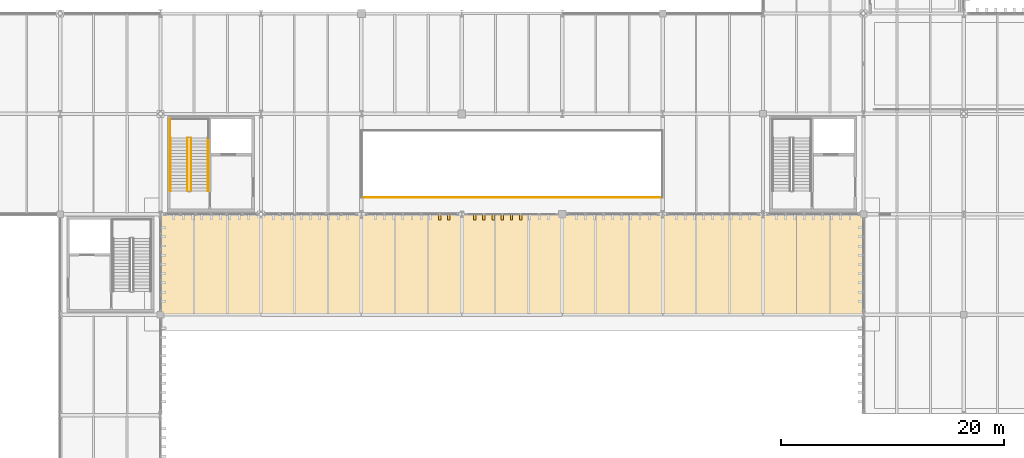
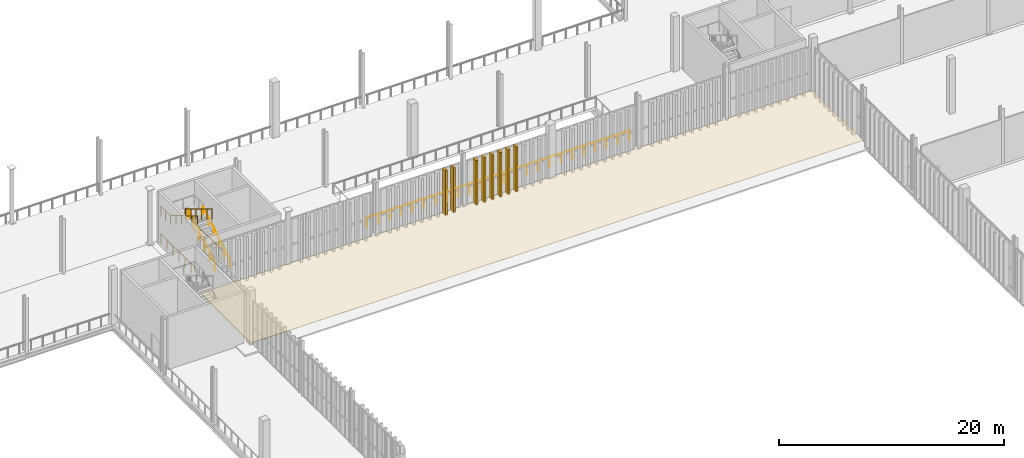
# One storey, part 193 of 211: 8 railings, 8 shading devices, 1 covering.
"""IFC4 building model written with IfcOpenShell, lengths in metres."""

from ifc_helpers import new_model, si_unit, direction, frame, origin, origin_2d, place, context, subcontext, project, spatial, polyline, rectangle, circle, outline, extrude, material, layer, layer_set, type_object, element, save


model = new_model("IFC4")

# Units and contexts
model_context = context("Model", 3, precision=1e-05, world=origin(), true_north=direction((0.0, 1.0)))
body_context = subcontext(model_context, "Body", "Model", "MODEL_VIEW")
ifc_project = project(units=[si_unit("LENGTHUNIT", "METRE"), si_unit("AREAUNIT", "SQUARE_METRE"), si_unit("VOLUMEUNIT", "CUBIC_METRE"), si_unit("PLANEANGLEUNIT", "RADIAN"), si_unit("MASSUNIT", "GRAM", prefix="KILO")], contexts=[model_context])

# Site, building, storey
site_placement = place(None, origin())
site = spatial("IfcSite", under=ifc_project, at=site_placement, CompositionType="ELEMENT")
building_placement = place(site_placement, origin())
building = spatial("IfcBuilding", under=site, at=building_placement, Name="Barlavento Convention Centre", CompositionType="ELEMENT")
storey_placement = place(building_placement, frame((0.0, 0.0, 6.0)))
storey = spatial("IfcBuildingStorey", under=building, at=storey_placement, Name="L01", CompositionType="ELEMENT", Elevation=6.0)

# Covering
ifc_material_1 = material(Name="Insulated typhoon waterproof roofing membrane")
ifc_layer = layer(ifc_material_1, 0.0400390625)
ifc_layer_set = layer_set([ifc_layer], Name="ARC-COV-ROOFING-40")
covering_type = type_object("IfcCoveringType", Name="ARC-COV-ROOFING-40", PredefinedType="ROOFING", material=ifc_layer_set)
covering_placement = place(storey_placement, frame((0.0, 0.0, 0.050048828125)))
element("IfcCovering", 1, at=covering_placement, inside=storey, type_object=covering_type, Name="L01 insulated waterproof roof covering", PredefinedType="ROOFING", context=body_context, shape_type="SweptSolid", body=[
    extrude(outline(polyline([(63.0, 36.0), (126.0, 36.0), (126.0, 45.0), (63.0, 45.0), (63.0, 36.0)])), origin(), (0.0, 0.0, 1.0), 0.0400390625),
])

# Railings
ifc_material_2 = material(Name="Stainless steel and laminated glass balustrade", Category="steel")
railing_type_1 = type_object("IfcRailingType", Name="ARC-RAL-BAL-1100", PredefinedType="BALUSTRADE", material=ifc_material_2)
railing_1_placement = place(storey_placement, frame((65.719970703125, 47.090087890625, 0.166748046875)))
element("IfcRailing", 2, at=railing_1_placement, inside=storey, type_object=railing_type_1, Name="L01 ST03 stair guard 1", PredefinedType="BALUSTRADE", context=body_context, shape_type="SweptSolid", body=[
    extrude(circle(Radius=0.02392578125, at=origin_2d()), frame((0.0, 0.0, 1.076171875), z_axis=(0.0, 0.859299802514, 0.511472237174), x_axis=(-1.0, 0.0, 0.0)), (0.0, 0.0, 1.0), 5.539306640625),
    extrude(circle(Radius=0.02099609375, at=origin_2d()), origin(), (0.0, 0.0, 1.0), 1.052001953125),
    extrude(circle(Radius=0.02099609375, at=origin_2d()), frame((0.0, 0.951904296875, 0.566650390625)), (0.0, 0.0, 1.0), 1.052001953125),
    extrude(circle(Radius=0.02099609375, at=origin_2d()), frame((0.0, 1.904052734375, 1.13330078125)), (0.0, 0.0, 1.0), 1.052001953125),
    extrude(circle(Radius=0.02099609375, at=origin_2d()), frame((0.0, 2.85595703125, 1.699951171875)), (0.0, 0.0, 1.0), 1.052001953125),
    extrude(circle(Radius=0.02099609375, at=origin_2d()), frame((0.0, 3.80810546875, 2.2666015625)), (0.0, 0.0, 1.0), 1.052001953125),
    extrude(circle(Radius=0.02099609375, at=origin_2d()), frame((0.0, 4.760009765625, 2.833251953125)), (0.0, 0.0, 1.0), 1.052001953125),
])
railing_2_placement = place(storey_placement, frame((65.419921875, 51.85009765625, 3.166748046875)))
element("IfcRailing", 3, at=railing_2_placement, inside=storey, type_object=railing_type_1, Name="L01 ST03 stair guard 3", PredefinedType="BALUSTRADE", context=body_context, shape_type="SweptSolid", body=[
    extrude(circle(Radius=0.02392578125, at=origin_2d()), frame((0.0, 0.0, 1.076171875), z_axis=(0.0, -0.859299802514, 0.511472237174), x_axis=(1.0, 0.0, 0.0)), (0.0, 0.0, 1.0), 5.539306640625),
    extrude(circle(Radius=0.02099609375, at=origin_2d()), origin(), (0.0, 0.0, 1.0), 1.052001953125),
    extrude(circle(Radius=0.02099609375, at=origin_2d()), frame((0.0, -0.951904296875, 0.566650390625)), (0.0, 0.0, 1.0), 1.052001953125),
    extrude(circle(Radius=0.02099609375, at=origin_2d()), frame((0.0, -1.904052734375, 1.13330078125)), (0.0, 0.0, 1.0), 1.052001953125),
    extrude(circle(Radius=0.02099609375, at=origin_2d()), frame((0.0, -2.85595703125, 1.699951171875)), (0.0, 0.0, 1.0), 1.052001953125),
    extrude(circle(Radius=0.02099609375, at=origin_2d()), frame((0.0, -3.80810546875, 2.2666015625)), (0.0, 0.0, 1.0), 1.052001953125),
    extrude(circle(Radius=0.02099609375, at=origin_2d()), frame((0.0, -4.760009765625, 2.833251953125)), (0.0, 0.0, 1.0), 1.052001953125),
])
railing_3_placement = place(storey_placement, frame((63.85009765625, 51.85009765625, 3.0)))
element("IfcRailing", 4, at=railing_3_placement, inside=storey, type_object=railing_type_1, Name="L01 landing guard GR01", PredefinedType="BALUSTRADE", context=body_context, shape_type="SweptSolid", body=[
    extrude(circle(Radius=0.02392578125, at=origin_2d()), frame((0.0, 0.0, 1.076171875), z_axis=(0.0, 1.0, 0.0), x_axis=(-1.0, 0.0, 0.0)), (0.0, 0.0, 1.0), 1.679931640625),
    extrude(circle(Radius=0.02099609375, at=origin_2d()), origin(), (0.0, 0.0, 1.0), 1.052001953125),
    extrude(circle(Radius=0.02099609375, at=origin_2d()), frame((0.0, 0.83984375, 0.0)), (0.0, 0.0, 1.0), 1.052001953125),
    extrude(circle(Radius=0.02099609375, at=origin_2d()), frame((0.0, 1.679931640625, 0.0)), (0.0, 0.0, 1.0), 1.052001953125),
])
railing_4_placement = place(storey_placement, frame((67.2900390625, 47.114990234375, 0.0)))
element("IfcRailing", 5, at=railing_4_placement, inside=storey, type_object=railing_type_1, Name="L01 stairwell perimeter guard GR01", PredefinedType="BALUSTRADE", context=body_context, shape_type="SweptSolid", body=[
    extrude(circle(Radius=0.02392578125, at=origin_2d()), frame((0.0, 0.0, 1.076171875), z_axis=(0.0, 1.0, 0.0), x_axis=(-1.0, 0.0, 0.0)), (0.0, 0.0, 1.0), 6.4150390625),
    extrude(circle(Radius=0.02099609375, at=origin_2d()), origin(), (0.0, 0.0, 1.0), 1.052001953125),
    extrude(circle(Radius=0.02099609375, at=origin_2d()), frame((0.0, 1.069091796875, 0.0)), (0.0, 0.0, 1.0), 1.052001953125),
    extrude(circle(Radius=0.02099609375, at=origin_2d()), frame((0.0, 2.138427734375, 0.0)), (0.0, 0.0, 1.0), 1.052001953125),
    extrude(circle(Radius=0.02099609375, at=origin_2d()), frame((0.0, 3.20751953125, 0.0)), (0.0, 0.0, 1.0), 1.052001953125),
    extrude(circle(Radius=0.02099609375, at=origin_2d()), frame((0.0, 4.276611328125, 0.0)), (0.0, 0.0, 1.0), 1.052001953125),
    extrude(circle(Radius=0.02099609375, at=origin_2d()), frame((0.0, 5.345947265625, 0.0)), (0.0, 0.0, 1.0), 1.052001953125),
    extrude(circle(Radius=0.02099609375, at=origin_2d()), frame((0.0, 6.4150390625, 0.0)), (0.0, 0.0, 1.0), 1.052001953125),
])
railing_5_placement = place(storey_placement, frame((63.85009765625, 53.530029296875, 0.0)))
element("IfcRailing", 6, at=railing_5_placement, inside=storey, type_object=railing_type_1, Name="L01 stairwell perimeter guard GR01", PredefinedType="BALUSTRADE", context=body_context, shape_type="SweptSolid", body=[
    extrude(circle(Radius=0.02392578125, at=origin_2d()), frame((0.0, 0.0, 1.076171875), z_axis=(0.0, -1.0, 0.0), x_axis=(1.0, 0.0, 0.0)), (0.0, 0.0, 1.0), 6.4150390625),
    extrude(circle(Radius=0.02099609375, at=origin_2d()), origin(), (0.0, 0.0, 1.0), 1.052001953125),
    extrude(circle(Radius=0.02099609375, at=origin_2d()), frame((0.0, -1.069091796875, 0.0)), (0.0, 0.0, 1.0), 1.052001953125),
    extrude(circle(Radius=0.02099609375, at=origin_2d()), frame((0.0, -2.138427734375, 0.0)), (0.0, 0.0, 1.0), 1.052001953125),
    extrude(circle(Radius=0.02099609375, at=origin_2d()), frame((0.0, -3.20751953125, 0.0)), (0.0, 0.0, 1.0), 1.052001953125),
    extrude(circle(Radius=0.02099609375, at=origin_2d()), frame((0.0, -4.276611328125, 0.0)), (0.0, 0.0, 1.0), 1.052001953125),
    extrude(circle(Radius=0.02099609375, at=origin_2d()), frame((0.0, -5.345947265625, 0.0)), (0.0, 0.0, 1.0), 1.052001953125),
    extrude(circle(Radius=0.02099609375, at=origin_2d()), frame((0.0, -6.4150390625, 0.0)), (0.0, 0.0, 1.0), 1.052001953125),
])
railing_6_placement = place(storey_placement, frame((81.0, 46.5, 0.0)))
element("IfcRailing", 7, at=railing_6_placement, inside=storey, type_object=railing_type_1, Name="L01 interior atrium or gallery balustrade GR01", PredefinedType="BALUSTRADE", context=body_context, shape_type="SweptSolid", body=[
    extrude(circle(Radius=0.02392578125, at=origin_2d()), frame((0.0, 0.0, 1.076171875), z_axis=(1.0, 0.0, 0.0), x_axis=(0.0, 1.0, 0.0)), (0.0, 0.0, 1.0), 27.0),
    extrude(circle(Radius=0.02099609375, at=origin_2d()), origin(), (0.0, 0.0, 1.0), 1.052001953125),
    extrude(circle(Radius=0.02099609375, at=origin_2d()), frame((1.173828125, 0.0, 0.0)), (0.0, 0.0, 1.0), 1.052001953125),
    extrude(circle(Radius=0.02099609375, at=origin_2d()), frame((2.347900390625, 0.0, 0.0)), (0.0, 0.0, 1.0), 1.052001953125),
    extrude(circle(Radius=0.02099609375, at=origin_2d()), frame((3.521728515625, 0.0, 0.0)), (0.0, 0.0, 1.0), 1.052001953125),
    extrude(circle(Radius=0.02099609375, at=origin_2d()), frame((4.695556640625, 0.0, 0.0)), (0.0, 0.0, 1.0), 1.052001953125),
    extrude(circle(Radius=0.02099609375, at=origin_2d()), frame((5.86962890625, 0.0, 0.0)), (0.0, 0.0, 1.0), 1.052001953125),
    extrude(circle(Radius=0.02099609375, at=origin_2d()), frame((7.04345703125, 0.0, 0.0)), (0.0, 0.0, 1.0), 1.052001953125),
    extrude(circle(Radius=0.02099609375, at=origin_2d()), frame((8.21728515625, 0.0, 0.0)), (0.0, 0.0, 1.0), 1.052001953125),
    extrude(circle(Radius=0.02099609375, at=origin_2d()), frame((9.391357421875, 0.0, 0.0)), (0.0, 0.0, 1.0), 1.052001953125),
    extrude(circle(Radius=0.02099609375, at=origin_2d()), frame((10.565185546875, 0.0, 0.0)), (0.0, 0.0, 1.0), 1.052001953125),
    extrude(circle(Radius=0.02099609375, at=origin_2d()), frame((11.739013671875, 0.0, 0.0)), (0.0, 0.0, 1.0), 1.052001953125),
    extrude(circle(Radius=0.02099609375, at=origin_2d()), frame((12.9130859375, 0.0, 0.0)), (0.0, 0.0, 1.0), 1.052001953125),
    extrude(circle(Radius=0.02099609375, at=origin_2d()), frame((14.0869140625, 0.0, 0.0)), (0.0, 0.0, 1.0), 1.052001953125),
    extrude(circle(Radius=0.02099609375, at=origin_2d()), frame((15.260986328125, 0.0, 0.0)), (0.0, 0.0, 1.0), 1.052001953125),
    extrude(circle(Radius=0.02099609375, at=origin_2d()), frame((16.434814453125, 0.0, 0.0)), (0.0, 0.0, 1.0), 1.052001953125),
    extrude(circle(Radius=0.02099609375, at=origin_2d()), frame((17.608642578125, 0.0, 0.0)), (0.0, 0.0, 1.0), 1.052001953125),
    extrude(circle(Radius=0.02099609375, at=origin_2d()), frame((18.78271484375, 0.0, 0.0)), (0.0, 0.0, 1.0), 1.052001953125),
    extrude(circle(Radius=0.02099609375, at=origin_2d()), frame((19.95654296875, 0.0, 0.0)), (0.0, 0.0, 1.0), 1.052001953125),
    extrude(circle(Radius=0.02099609375, at=origin_2d()), frame((21.13037109375, 0.0, 0.0)), (0.0, 0.0, 1.0), 1.052001953125),
    extrude(circle(Radius=0.02099609375, at=origin_2d()), frame((22.304443359375, 0.0, 0.0)), (0.0, 0.0, 1.0), 1.052001953125),
    extrude(circle(Radius=0.02099609375, at=origin_2d()), frame((23.478271484375, 0.0, 0.0)), (0.0, 0.0, 1.0), 1.052001953125),
    extrude(circle(Radius=0.02099609375, at=origin_2d()), frame((24.652099609375, 0.0, 0.0)), (0.0, 0.0, 1.0), 1.052001953125),
    extrude(circle(Radius=0.02099609375, at=origin_2d()), frame((25.826171875, 0.0, 0.0)), (0.0, 0.0, 1.0), 1.052001953125),
    extrude(circle(Radius=0.02099609375, at=origin_2d()), frame((27.0, 0.0, 0.0)), (0.0, 0.0, 1.0), 1.052001953125),
])
ifc_material_3 = material(Name="Brushed stainless steel tubular handrail", Category="steel")
railing_type_2 = type_object("IfcRailingType", Name="ARC-RAL-HR-900", PredefinedType="HANDRAIL", material=ifc_material_3)
railing_7_placement = place(storey_placement, frame((67.239990234375, 47.090087890625, 0.166748046875)))
element("IfcRailing", 8, at=railing_7_placement, inside=storey, type_object=railing_type_2, Name="L01 ST03 stair handrail 1", PredefinedType="HANDRAIL", context=body_context, shape_type="SweptSolid", body=[
    extrude(circle(Radius=0.02392578125, at=origin_2d()), frame((0.0, 0.0, 0.8759765625), z_axis=(0.0, 0.859299802514, 0.511472237174), x_axis=(-1.0, 0.0, 0.0)), (0.0, 0.0, 1.0), 5.539306640625),
    extrude(circle(Radius=0.02099609375, at=origin_2d()), origin(), (0.0, 0.0, 1.0), 0.851806640625),
    extrude(circle(Radius=0.02099609375, at=origin_2d()), frame((0.0, 0.951904296875, 0.566650390625)), (0.0, 0.0, 1.0), 0.851806640625),
    extrude(circle(Radius=0.02099609375, at=origin_2d()), frame((0.0, 1.904052734375, 1.13330078125)), (0.0, 0.0, 1.0), 0.851806640625),
    extrude(circle(Radius=0.02099609375, at=origin_2d()), frame((0.0, 2.85595703125, 1.699951171875)), (0.0, 0.0, 1.0), 0.851806640625),
    extrude(circle(Radius=0.02099609375, at=origin_2d()), frame((0.0, 3.80810546875, 2.2666015625)), (0.0, 0.0, 1.0), 0.851806640625),
    extrude(circle(Radius=0.02099609375, at=origin_2d()), frame((0.0, 4.760009765625, 2.833251953125)), (0.0, 0.0, 1.0), 0.851806640625),
])
railing_8_placement = place(storey_placement, frame((63.89990234375, 51.85009765625, 3.166748046875)))
element("IfcRailing", 9, at=railing_8_placement, inside=storey, type_object=railing_type_2, Name="L01 ST03 stair handrail 2", PredefinedType="HANDRAIL", context=body_context, shape_type="SweptSolid", body=[
    extrude(circle(Radius=0.02392578125, at=origin_2d()), frame((0.0, 0.0, 0.8759765625), z_axis=(0.0, -0.859299802514, 0.511472237174), x_axis=(1.0, 0.0, 0.0)), (0.0, 0.0, 1.0), 5.539306640625),
    extrude(circle(Radius=0.02099609375, at=origin_2d()), origin(), (0.0, 0.0, 1.0), 0.851806640625),
    extrude(circle(Radius=0.02099609375, at=origin_2d()), frame((0.0, -0.951904296875, 0.566650390625)), (0.0, 0.0, 1.0), 0.851806640625),
    extrude(circle(Radius=0.02099609375, at=origin_2d()), frame((0.0, -1.904052734375, 1.13330078125)), (0.0, 0.0, 1.0), 0.851806640625),
    extrude(circle(Radius=0.02099609375, at=origin_2d()), frame((0.0, -2.85595703125, 1.699951171875)), (0.0, 0.0, 1.0), 0.851806640625),
    extrude(circle(Radius=0.02099609375, at=origin_2d()), frame((0.0, -3.80810546875, 2.2666015625)), (0.0, 0.0, 1.0), 0.851806640625),
    extrude(circle(Radius=0.02099609375, at=origin_2d()), frame((0.0, -4.760009765625, 2.833251953125)), (0.0, 0.0, 1.0), 0.851806640625),
])

# Shading devices
ifc_material_4 = material(Name="PVDF white extruded aluminium", Category="aluminium")
shading_device_type = type_object("IfcShadingDeviceType", Name="ARC-SHD-FIN-480", PredefinedType="USERDEFINED", material=ifc_material_4)
for number, where, z_axis, x_axis, name in (
    (10, (88.00927734375, 44.760009765625, 0.0), (0.0, 0.0, 1.0), (1.0, 0.0, 0.0), "White vertical solar shading fin VF01"),
    (11, (88.83349609375, 44.760009765625, 0.0), (0.0, 0.0, 1.0), (1.0, 0.0, 0.0), "White vertical solar shading fin VF01"),
    (12, (91.164794921875, 44.760009765625, 0.0), (0.0, 0.0, 1.0), (1.0, 0.0, 0.0), "White vertical solar shading fin VF01"),
    (13, (91.987548828125, 44.760009765625, 0.0), (0.0, 0.0, 1.0), (1.0, 0.0, 0.0), "White vertical solar shading fin VF01"),
    (14, (92.810302734375, 44.760009765625, 0.0), (0.0, 0.0, 1.0), (1.0, 0.0, 0.0), "White vertical solar shading fin VF01"),
    (15, (93.63330078125, 44.760009765625, 0.0), (0.0, 0.0, 1.0), (1.0, 0.0, 0.0), "White vertical solar shading fin VF01"),
    (16, (94.4560546875, 44.760009765625, 0.0), (0.0, 0.0, 1.0), (1.0, 0.0, 0.0), "White vertical solar shading fin VF01"),
    (17, (95.27880859375, 44.760009765625, 0.0), (0.0, 0.0, 1.0), (1.0, 0.0, 0.0), "White vertical solar shading fin VF01"),
):
    element("IfcShadingDevice", number, at=place(storey_placement, frame(where, z_axis=z_axis, x_axis=x_axis)), inside=storey, type_object=shading_device_type, Name=name, ObjectType="FIN", PredefinedType="USERDEFINED", context=body_context, shape_type="SweptSolid", body=[
        extrude(rectangle(XDim=0.219970703125, YDim=0.52001953125, at=origin_2d()), origin(), (0.0, 0.0, 1.0), 4.949951171875),
    ])

save(model, "model.ifc")
